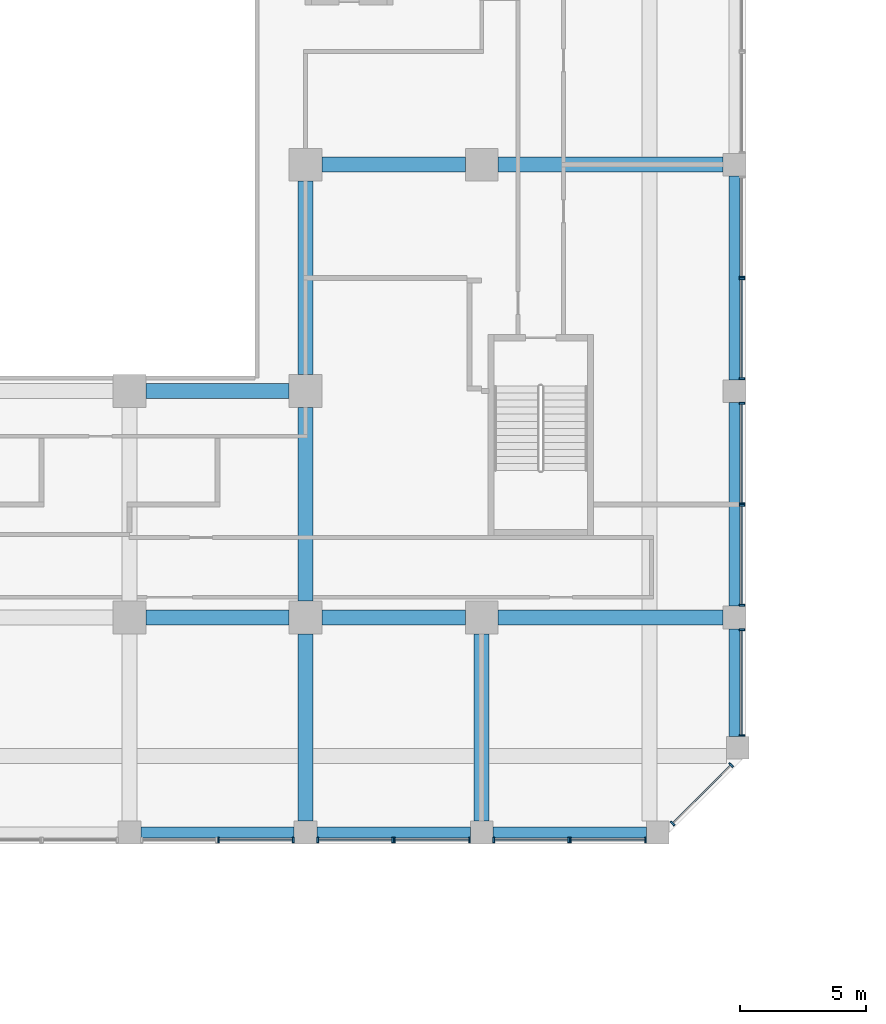
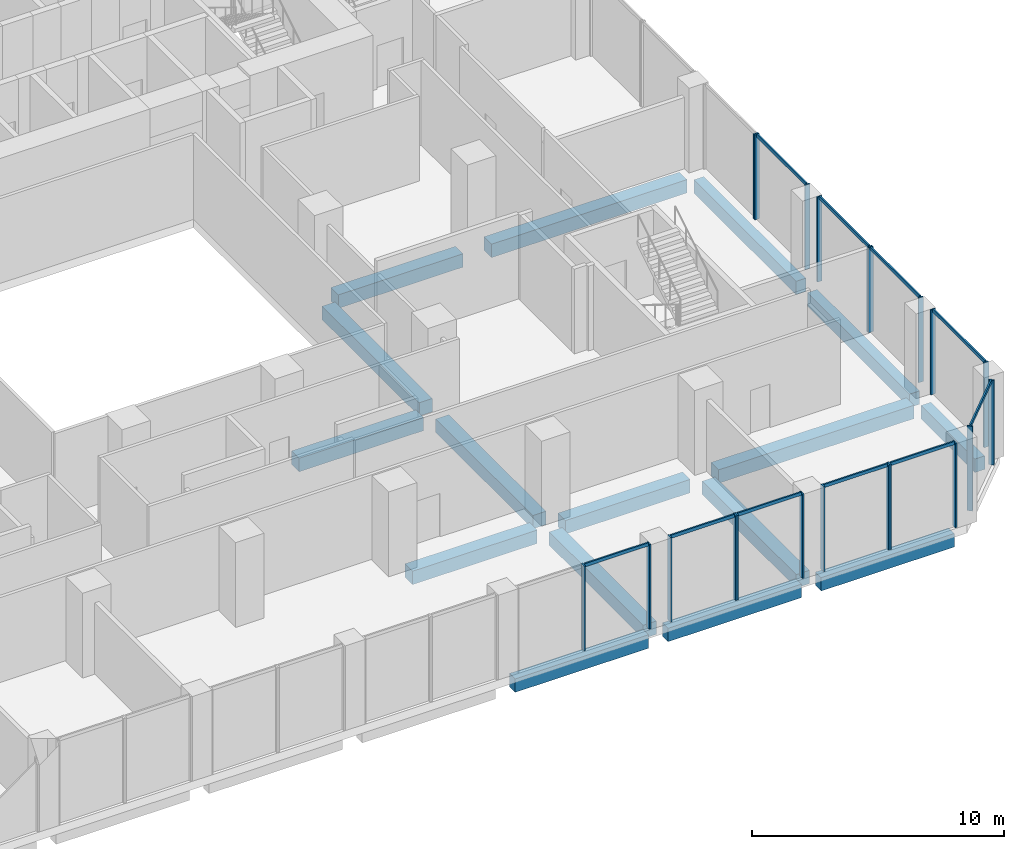
# One storey, part 5 of 36: 31 members, 16 beams, 11 elements without a shape of their own.
"""IFC4 building model written with IfcOpenShell, lengths in metres."""

import ifcopenshell
import ifcopenshell.guid

model = None  # the IFC model being written
_history = None  # IfcOwnerHistory: only IFC2X3 demands one
_inside = {}  # id of a spatial element -> (the spatial element, [elements in it])
_under = {}  # id of a project, library or spatial element -> (it, [spatial elements below it])
_declared = {}  # id of a project -> (the project, [libraries it declares])
_typed = {}  # id of a type object -> (the type object, [elements of that type])
_made_of = {}  # id of a material, layer set ... -> (it, [elements and type objects made of it])


def new_model(schema):
    """Start an empty IFC model of exactly this schema.

    Asked for "IFC4X3", IfcOpenShell would pick the latest addendum, in which some entities
    have other attributes; the version numbers below select the first issue.
    IFC2X3 requires an IfcOwnerHistory on every rooted entity: one is made here for all.
    """
    global model, _history
    if schema == "IFC4X3":
        model = ifcopenshell.file(schema_version=(4, 3, 0, 0))
    else:
        model = ifcopenshell.file(schema=schema)
    _inside.clear()
    _under.clear()
    _declared.clear()
    _typed.clear()
    _made_of.clear()
    _history = None
    if model.schema == "IFC2X3":
        org = make("IfcOrganization", Name="unknown")
        user = make(
            "IfcPersonAndOrganization",
            ThePerson=make("IfcPerson", FamilyName="unknown"),
            TheOrganization=org,
        )
        app = make(
            "IfcApplication",
            ApplicationDeveloper=org,
            Version="unknown",
            ApplicationFullName="unknown",
            ApplicationIdentifier="unknown",
        )
        _history = make(
            "IfcOwnerHistory",
            OwningUser=user,
            OwningApplication=app,
            ChangeAction="ADDED",
            CreationDate=0,
        )
    return model


def make(cls, **values):
    """One entity of the class cls with the attributes given. An attribute that is None is left unset."""
    return model.create_entity(
        cls, **{name: value for name, value in values.items() if value is not None}
    )


def rooted(cls, **values):
    """An entity with a GlobalId (a new one), such as an element, a storey or a relation."""
    return make(cls, GlobalId=ifcopenshell.guid.new(), OwnerHistory=_history, **values)


def si_unit(unit_type, name, prefix=None):
    """IfcSIUnit, for example si_unit("LENGTHUNIT", "METRE", prefix="MILLI")."""
    return make("IfcSIUnit", UnitType=unit_type, Prefix=prefix, Name=name)


def assignment(units):
    """IfcUnitAssignment: the units of a project."""
    return None if units is None else make("IfcUnitAssignment", Units=units)


def point(xyz):
    """IfcCartesianPoint."""
    return None if xyz is None else make("IfcCartesianPoint", Coordinates=xyz)


def direction(xyz):
    """IfcDirection."""
    return None if xyz is None else make("IfcDirection", DirectionRatios=xyz)


def frame(location, z_axis=None, x_axis=None):
    """IfcAxis2Placement3D, a coordinate frame: its origin and axes. An axis left out is left unset."""
    return make(
        "IfcAxis2Placement3D",
        Location=point(location),
        Axis=direction(z_axis),
        RefDirection=direction(x_axis),
    )


def frame_2d(location, x_axis=None):
    """IfcAxis2Placement2D, a coordinate frame in the plane: its origin and x axis."""
    return make(
        "IfcAxis2Placement2D", Location=point(location), RefDirection=direction(x_axis)
    )


def origin():
    """The frame at (0, 0, 0) with its axes left unset."""
    return frame((0.0, 0.0, 0.0))


def origin_2d():
    """The frame at (0, 0) in the plane with its x axis left unset."""
    return frame_2d((0.0, 0.0))


def place(relative_to, where):
    """IfcLocalPlacement: puts the frame where relative to a parent placement (None: the world)."""
    return make(
        "IfcLocalPlacement", PlacementRelTo=relative_to, RelativePlacement=where
    )


def context(
    kind, dimensions, precision=None, world=None, true_north=None, identifier=None
):
    """IfcGeometricRepresentationContext, for example the 3D "Model" context."""
    return make(
        "IfcGeometricRepresentationContext",
        ContextIdentifier=identifier,
        ContextType=kind,
        CoordinateSpaceDimension=dimensions,
        Precision=precision,
        WorldCoordinateSystem=world,
        TrueNorth=true_north,
    )


def subcontext(parent, identifier, kind, view, scale=None):
    """IfcGeometricRepresentationSubContext, for example "Body" below "Model"."""
    return make(
        "IfcGeometricRepresentationSubContext",
        ContextIdentifier=identifier,
        ContextType=kind,
        ParentContext=parent,
        TargetScale=scale,
        TargetView=view,
    )


def project(units=None, contexts=None):
    """IfcProject with its units and contexts."""
    return rooted(
        "IfcProject",
        Name="project",
        RepresentationContexts=contexts,
        UnitsInContext=assignment(units),
    )


def spatial(cls, under=None, at=None, **own):
    """A site, building, storey or space (cls), placed at a placement, below another one or the project."""
    s = rooted(cls, ObjectPlacement=at, **own)
    if under is not None:
        _under.setdefault(under.id(), (under, []))[1].append(s)
    return s


def profile(cls, at=None, kind="AREA", **sizes):
    """A parametric profile (cls). Its sizes go by their IFC names, for example OverallWidth=200.0."""
    return make(cls, ProfileType=kind, Position=at, **sizes)


def rectangle(**sizes):
    """IfcRectangleProfileDef."""
    return profile("IfcRectangleProfileDef", **sizes)


def extrude(swept, where, along, depth):
    """IfcExtrudedAreaSolid: the profile swept, set in the frame where, extruded along a direction by depth."""
    return make(
        "IfcExtrudedAreaSolid",
        SweptArea=swept,
        Position=where,
        ExtrudedDirection=direction(along),
        Depth=depth,
    )


def shape(context_of_items, identifier, shape_type, items):
    """IfcShapeRepresentation: the items that make up one representation, for example the "Body"."""
    return make(
        "IfcShapeRepresentation",
        ContextOfItems=context_of_items,
        RepresentationIdentifier=identifier,
        RepresentationType=shape_type,
        Items=items,
    )


def source(mapping_origin, context_of_items, identifier, shape_type, items):
    """IfcRepresentationMap: a shape defined once, which mapped items show again and again."""
    return make(
        "IfcRepresentationMap",
        MappingOrigin=mapping_origin,
        MappedRepresentation=shape(context_of_items, identifier, shape_type, items),
    )


def transform(
    local_origin,
    x_axis=None,
    y_axis=None,
    z_axis=None,
    scale=None,
    scale2=None,
    scale3=None,
    uniform=True,
):
    """IfcCartesianTransformationOperator3D, or its non-uniform kind. x_axis, y_axis, z_axis: its Axis1, 2, 3."""
    if uniform:
        return make(
            "IfcCartesianTransformationOperator3D",
            Axis1=direction(x_axis),
            Axis2=direction(y_axis),
            LocalOrigin=point(local_origin),
            Scale=scale,
            Axis3=direction(z_axis),
        )
    return make(
        "IfcCartesianTransformationOperator3DnonUniform",
        Axis1=direction(x_axis),
        Axis2=direction(y_axis),
        LocalOrigin=point(local_origin),
        Scale=scale,
        Axis3=direction(z_axis),
        Scale2=scale2,
        Scale3=scale3,
    )


def mapped(mapping_source, mapping_target):
    """IfcMappedItem: shows the shape of a source again, moved by a transform."""
    return make(
        "IfcMappedItem", MappingSource=mapping_source, MappingTarget=mapping_target
    )


def material(Name=None, Category=None):
    """IfcMaterial."""
    return make("IfcMaterial", Name=Name, Category=Category)


def material_profile(
    of_material, cross_section, Name=None, Category=None, Priority=None
):
    """IfcMaterialProfile: a cross section and its material."""
    return make(
        "IfcMaterialProfile",
        Name=Name,
        Material=of_material,
        Profile=cross_section,
        Priority=Priority,
        Category=Category,
    )


def profile_set(profiles, Name=None, composite=None):
    """IfcMaterialProfileSet."""
    return make(
        "IfcMaterialProfileSet",
        Name=Name,
        MaterialProfiles=profiles,
        CompositeProfile=composite,
    )


def made_of(thing, what):
    """Note that an element or type object is made of a material, layer set ...; save() writes the relation."""
    if what is not None:
        _made_of.setdefault(what.id(), (what, []))[1].append(thing)
    return thing


def type_object(cls, material=None, **own):
    """A type object (cls), such as IfcWallType, which elements share."""
    return made_of(rooted(cls, **own), material)


def element(
    cls,
    number,
    at=None,
    inside=None,
    cuts=None,
    type_object=None,
    material=None,
    context=None,
    identifier="Body",
    shape_type=None,
    held_by="IfcProductDefinitionShape",
    body=None,
    shapes=None,
    **own,
):
    """One element of the class cls, such as IfcWall. Its Tag is "e" and its number.

    at: its placement. inside: the storey or other place that contains it. cuts: it is an
    opening in that element (IfcRelVoidsElement). A single representation is given by context,
    identifier, shape_type and body (its items); several are given by shapes. held_by: the class
    of the entity that holds the representations. save() writes the other relations.
    """
    e = rooted(cls, Tag="e%d" % number, ObjectPlacement=at, **own)
    if body is not None:
        shapes = [shape(context, identifier, shape_type, body)]
    if shapes is not None:
        e.Representation = make(held_by, Representations=shapes)
    if inside is not None:
        _inside.setdefault(inside.id(), (inside, []))[1].append(e)
    if cuts is not None:
        rooted(
            "IfcRelVoidsElement", RelatingBuildingElement=cuts, RelatedOpeningElement=e
        )
    if type_object is not None:
        _typed.setdefault(type_object.id(), (type_object, []))[1].append(e)
    return made_of(e, material)


def aggregate(whole, parts):
    """IfcRelAggregates: a whole, such as a stair, and the parts it consists of."""
    return rooted("IfcRelAggregates", RelatingObject=whole, RelatedObjects=parts)


def save(model, path):
    """Write the relations noted so far, then the file.

    IfcRelAggregates (storeys below a building ...), IfcRelContainedInSpatialStructure (elements
    in a storey), IfcRelDefinesByType, IfcRelAssociatesMaterial and IfcRelDeclares: one each for
    every whole, place, type object, material and project.
    """
    for whole, parts in _under.values():
        aggregate(whole, parts)
    for where, things in _inside.values():
        rooted(
            "IfcRelContainedInSpatialStructure",
            RelatedElements=things,
            RelatingStructure=where,
        )
    for kind, things in _typed.values():
        rooted("IfcRelDefinesByType", RelatedObjects=things, RelatingType=kind)
    for what, things in _made_of.values():
        rooted("IfcRelAssociatesMaterial", RelatedObjects=things, RelatingMaterial=what)
    for by, libraries in _declared.values():
        rooted("IfcRelDeclares", RelatingContext=by, RelatedDefinitions=libraries)
    model.write(path)


model = new_model("IFC4")

# Units and contexts
model_context = context("Model", 3, precision=1e-05, world=origin(), true_north=direction((0.0, 1.0)))
body_context = subcontext(model_context, "Body", "Model", "MODEL_VIEW")
ifc_project = project(units=[si_unit("LENGTHUNIT", "METRE"), si_unit("AREAUNIT", "SQUARE_METRE"), si_unit("VOLUMEUNIT", "CUBIC_METRE"), si_unit("PLANEANGLEUNIT", "RADIAN"), si_unit("MASSUNIT", "GRAM", prefix="KILO")], contexts=[model_context])

# Site, building, storey
site_placement = place(None, origin())
site = spatial("IfcSite", under=ifc_project, at=site_placement, CompositionType="ELEMENT")
building_placement = place(site_placement, origin())
building = spatial("IfcBuilding", under=site, at=building_placement, Name="Kilnfold Tower and Market Hall", CompositionType="ELEMENT")
storey_placement = place(building_placement, frame((0.0, 0.0, 18.0)))
storey = spatial("IfcBuildingStorey", under=building, at=storey_placement, Name="L03", CompositionType="ELEMENT", Elevation=18.0)

# Beams
ifc_material_1 = material(Name="Concrete C45", Category="concrete")
ifc_material_profile_1 = material_profile(ifc_material_1, rectangle(XDim=0.449951171875, YDim=0.64990234375, at=origin_2d()), Name="RC 450x650")
ifc_profile_set_1 = profile_set([ifc_material_profile_1], Name="Concrete C45")
beam_type_1 = type_object("IfcBeamType", Name="EDGE BEAM 450X650 C45", PredefinedType="BEAM", material=ifc_profile_set_1)
shared_shape_1 = source(origin(), body_context, "Body", "SweptSolid", [
    extrude(rectangle(XDim=0.449951171875, YDim=0.64990234375, at=origin_2d()), origin(), (0.0, 0.0, 1.0), 6.10009765625),
])
for number, where, z_axis, x_axis, name in (
    (1, (3.949951171875, -27.550048828125, -0.72509765625), (1.0, 0.0, 0.0), (0.0, 1.0, 0.0), "Beam EB650-B1.4"),
    (2, (10.949951171875, -27.550048828125, -0.72509765625), (1.0, 0.0, 0.0), (0.0, 1.0, 0.0), "Beam EB650-B1.5"),
    (3, (17.949951171875, -27.550048828125, -0.72509765625), (1.0, 0.0, 0.0), (0.0, 1.0, 0.0), "Beam EB650-B1.6"),
):
    element("IfcBeam", number, at=place(storey_placement, frame(where, z_axis=z_axis, x_axis=x_axis)), inside=storey, type_object=beam_type_1, Name=name, PredefinedType="BEAM", context=body_context, shape_type="MappedRepresentation", body=[
        mapped(shared_shape_1, transform((0.0, 0.0, 0.0))),
    ])
ifc_material_2 = material(Name="Concrete C45", Category="concrete")
ifc_material_profile_2 = material_profile(ifc_material_2, rectangle(XDim=0.60009765625, YDim=0.64990234375, at=origin_2d()), Name="RC 600x650")
ifc_profile_set_2 = profile_set([ifc_material_profile_2], Name="Concrete C45")
beam_type_2 = type_object("IfcBeamType", Name="BEAM 600X650 C45", PredefinedType="BEAM", material=ifc_profile_set_2)
shared_shape_2 = source(origin(), body_context, "Body", "SweptSolid", [
    extrude(rectangle(XDim=0.60009765625, YDim=0.64990234375, at=origin_2d()), origin(), (0.0, 0.0, 1.0), 8.9501953125),
])
for number, where, z_axis, x_axis, name in (
    (4, (18.14990234375, -19.0, -0.72509765625), (1.0, 0.0, 0.0), (0.0, 1.0, 0.0), "Beam BB650-B1.12"),
    (5, (18.14990234375, -1.0, -0.72509765625), (1.0, 0.0, 0.0), (0.0, 1.0, 0.0), "Beam BB650-B1.20"),
):
    element("IfcBeam", number, at=place(storey_placement, frame(where, z_axis=z_axis, x_axis=x_axis)), inside=storey, type_object=beam_type_2, Name=name, PredefinedType="BEAM", context=body_context, shape_type="MappedRepresentation", body=[
        mapped(shared_shape_2, transform((0.0, 0.0, 0.0))),
    ])
shared_shape_3 = source(origin(), body_context, "Body", "SweptSolid", [
    extrude(rectangle(XDim=0.60009765625, YDim=0.64990234375, at=origin_2d()), origin(), (0.0, 0.0, 1.0), 5.7001953125),
])
for number, where, z_axis, x_axis, name in (
    (6, (4.14990234375, -19.0, -0.72509765625), (1.0, 0.0, 0.0), (0.0, 1.0, 0.0), "Beam BB650-B1.10"),
    (7, (11.14990234375, -19.0, -0.72509765625), (1.0, 0.0, 0.0), (0.0, 1.0, 0.0), "Beam BB650-B1.11"),
    (8, (4.14990234375, -10.0, -0.72509765625), (1.0, 0.0, 0.0), (0.0, 1.0, 0.0), "Beam BB650-B1.15"),
    (9, (11.14990234375, -1.0, -0.72509765625), (1.0, 0.0, 0.0), (0.0, 1.0, 0.0), "Beam BB650-B1.19"),
):
    element("IfcBeam", number, at=place(storey_placement, frame(where, z_axis=z_axis, x_axis=x_axis)), inside=storey, type_object=beam_type_2, Name=name, PredefinedType="BEAM", context=body_context, shape_type="MappedRepresentation", body=[
        mapped(shared_shape_3, transform((0.0, 0.0, 0.0))),
    ])
shared_shape_4 = source(origin(), body_context, "Body", "SweptSolid", [
    extrude(rectangle(XDim=0.449951171875, YDim=0.64990234375, at=origin_2d()), origin(), (0.0, 0.0, 1.0), 8.10009765625),
])
for number, where, z_axis, x_axis, name in (
    (10, (27.550048828125, -18.550048828125, -0.72509765625), (0.0, 1.0, 0.0), (-1.0, 0.0, 0.0), "Beam EB650-B1.52"),
    (11, (27.550048828125, -9.550048828125, -0.72509765625), (0.0, 1.0, 0.0), (-1.0, 0.0, 0.0), "Beam EB650-B1.58"),
):
    element("IfcBeam", number, at=place(storey_placement, frame(where, z_axis=z_axis, x_axis=x_axis)), inside=storey, type_object=beam_type_1, Name=name, PredefinedType="BEAM", context=body_context, shape_type="MappedRepresentation", body=[
        mapped(shared_shape_4, transform((0.0, 0.0, 0.0))),
    ])
shared_shape_5 = source(origin(), body_context, "Body", "SweptSolid", [
    extrude(rectangle(XDim=0.60009765625, YDim=0.64990234375, at=origin_2d()), origin(), (0.0, 0.0, 1.0), 7.4501953125),
])
for number, where, z_axis, x_axis, name in (
    (12, (10.5, -27.10009765625, -0.72509765625), (0.0, 1.0, 0.0), (-1.0, 0.0, 0.0), "Beam BB650-B1.47"),
    (13, (17.5, -27.10009765625, -0.72509765625), (0.0, 1.0, 0.0), (-1.0, 0.0, 0.0), "Beam BB650-B1.50"),
):
    element("IfcBeam", number, at=place(storey_placement, frame(where, z_axis=z_axis, x_axis=x_axis)), inside=storey, type_object=beam_type_2, Name=name, PredefinedType="BEAM", context=body_context, shape_type="MappedRepresentation", body=[
        mapped(shared_shape_5, transform((0.0, 0.0, 0.0))),
    ])
shared_shape_6 = source(origin(), body_context, "Body", "SweptSolid", [
    extrude(rectangle(XDim=0.60009765625, YDim=0.64990234375, at=origin_2d()), origin(), (0.0, 0.0, 1.0), 7.7001953125),
])
for number, where, z_axis, x_axis, name in (
    (14, (10.5, -18.35009765625, -0.72509765625), (0.0, 1.0, 0.0), (-1.0, 0.0, 0.0), "Beam BB650-B1.48"),
    (15, (10.5, -9.35009765625, -0.72509765625), (0.0, 1.0, 0.0), (-1.0, 0.0, 0.0), "Beam BB650-B1.49"),
):
    element("IfcBeam", number, at=place(storey_placement, frame(where, z_axis=z_axis, x_axis=x_axis)), inside=storey, type_object=beam_type_2, Name=name, PredefinedType="BEAM", context=body_context, shape_type="MappedRepresentation", body=[
        mapped(shared_shape_6, transform((0.0, 0.0, 0.0))),
    ])
shared_shape_7 = source(origin(), body_context, "Body", "SweptSolid", [
    extrude(rectangle(XDim=0.449951171875, YDim=0.64990234375, at=origin_2d()), origin(), (0.0, 0.0, 1.0), 4.28173828125),
])
beam_placement = place(storey_placement, frame((27.550048828125, -23.731689453125, -0.72509765625), z_axis=(0.0, 1.0, 0.0), x_axis=(-1.0, 0.0, 0.0)))
element("IfcBeam", 16, at=beam_placement, inside=storey, type_object=beam_type_1, Name="Beam EB650-B1.51", PredefinedType="BEAM", context=body_context, shape_type="MappedRepresentation", body=[
    mapped(shared_shape_7, transform((0.0, 0.0, 0.0))),
])

# Curtain wall, members
ifc_material_3 = material(Name="Aluminium and double glazing", Category="aluminium")
curtain_wall_type = type_object("IfcCurtainWallType", Name="CW BASE PODIUM GLAZING", PredefinedType="NOTDEFINED", material=ifc_material_3)
curtain_wall_1_placement = place(storey_placement, origin())
curtain_wall_1 = element("IfcCurtainWall", 17, at=curtain_wall_1_placement, inside=storey, type_object=curtain_wall_type, Name="Curtain wall CW4 L03 S", PredefinedType="NOTDEFINED")
ifc_material_4 = material(Name="Aluminium", Category="aluminium")
ifc_material_profile_3 = material_profile(ifc_material_4, rectangle(XDim=0.070068359375, YDim=0.219970703125, at=origin_2d()), Name="MULLION 70x220")
ifc_profile_set_3 = profile_set([ifc_material_profile_3], Name="Aluminium")
member_type_1 = type_object("IfcMemberType", Name="MULLION 70X220", PredefinedType="MULLION", material=ifc_profile_set_3)
shared_shape_8 = source(origin(), body_context, "Body", "SweptSolid", [
    extrude(rectangle(XDim=0.070068359375, YDim=0.219970703125, at=origin_2d()), origin(), (0.0, 0.0, 1.0), 4.10009765625),
])
member_1_placement = place(storey_placement, frame((7.034912109375, -27.85009765625, 0.0), z_axis=(0.0, 0.0, 1.0), x_axis=(1.0, 0.0, 0.0)))
member_1 = element("IfcMember", 18, at=member_1_placement, type_object=member_type_1, Name="CW4 mullion 1", PredefinedType="MULLION", context=body_context, shape_type="MappedRepresentation", body=[
    mapped(shared_shape_8, transform((0.0, 0.0, 0.0))),
])
member_2_placement = place(storey_placement, frame((10.014892578125, -27.85009765625, 0.0), z_axis=(0.0, 0.0, 1.0), x_axis=(1.0, 0.0, 0.0)))
member_2 = element("IfcMember", 19, at=member_2_placement, type_object=member_type_1, Name="CW4 mullion 2", PredefinedType="MULLION", context=body_context, shape_type="MappedRepresentation", body=[
    mapped(shared_shape_8, transform((0.0, 0.0, 0.0))),
])

curtain_wall_2_placement = place(storey_placement, origin())
curtain_wall_2 = element("IfcCurtainWall", 20, at=curtain_wall_2_placement, inside=storey, type_object=curtain_wall_type, Name="Curtain wall CW4 L03 S", PredefinedType="NOTDEFINED")
member_3_placement = place(storey_placement, frame((10.985107421875, -27.85009765625, 0.0), z_axis=(0.0, 0.0, 1.0), x_axis=(1.0, 0.0, 0.0)))
member_3 = element("IfcMember", 21, at=member_3_placement, type_object=member_type_1, Name="CW4 mullion 1", PredefinedType="MULLION", context=body_context, shape_type="MappedRepresentation", body=[
    mapped(shared_shape_8, transform((0.0, 0.0, 0.0))),
])
member_4_placement = place(storey_placement, frame((13.965087890625, -27.85009765625, 0.0), z_axis=(0.0, 0.0, 1.0), x_axis=(1.0, 0.0, 0.0)))
member_4 = element("IfcMember", 22, at=member_4_placement, type_object=member_type_1, Name="CW4 mullion 2", PredefinedType="MULLION", context=body_context, shape_type="MappedRepresentation", body=[
    mapped(shared_shape_8, transform((0.0, 0.0, 0.0))),
])

curtain_wall_3_placement = place(storey_placement, origin())
curtain_wall_3 = element("IfcCurtainWall", 23, at=curtain_wall_3_placement, inside=storey, type_object=curtain_wall_type, Name="Curtain wall CW4 L03 S", PredefinedType="NOTDEFINED")
member_5_placement = place(storey_placement, frame((14.034912109375, -27.85009765625, 0.0), z_axis=(0.0, 0.0, 1.0), x_axis=(1.0, 0.0, 0.0)))
member_5 = element("IfcMember", 24, at=member_5_placement, type_object=member_type_1, Name="CW4 mullion 1", PredefinedType="MULLION", context=body_context, shape_type="MappedRepresentation", body=[
    mapped(shared_shape_8, transform((0.0, 0.0, 0.0))),
])
member_6_placement = place(storey_placement, frame((17.014892578125, -27.85009765625, 0.0), z_axis=(0.0, 0.0, 1.0), x_axis=(1.0, 0.0, 0.0)))
member_6 = element("IfcMember", 25, at=member_6_placement, type_object=member_type_1, Name="CW4 mullion 2", PredefinedType="MULLION", context=body_context, shape_type="MappedRepresentation", body=[
    mapped(shared_shape_8, transform((0.0, 0.0, 0.0))),
])

curtain_wall_4_placement = place(storey_placement, origin())
curtain_wall_4 = element("IfcCurtainWall", 26, at=curtain_wall_4_placement, inside=storey, type_object=curtain_wall_type, Name="Curtain wall CW4 L03 S", PredefinedType="NOTDEFINED")
member_7_placement = place(storey_placement, frame((17.985107421875, -27.85009765625, 0.0), z_axis=(0.0, 0.0, 1.0), x_axis=(1.0, 0.0, 0.0)))
member_7 = element("IfcMember", 27, at=member_7_placement, type_object=member_type_1, Name="CW4 mullion 1", PredefinedType="MULLION", context=body_context, shape_type="MappedRepresentation", body=[
    mapped(shared_shape_8, transform((0.0, 0.0, 0.0))),
])
member_8_placement = place(storey_placement, frame((20.965087890625, -27.85009765625, 0.0), z_axis=(0.0, 0.0, 1.0), x_axis=(1.0, 0.0, 0.0)))
member_8 = element("IfcMember", 28, at=member_8_placement, type_object=member_type_1, Name="CW4 mullion 2", PredefinedType="MULLION", context=body_context, shape_type="MappedRepresentation", body=[
    mapped(shared_shape_8, transform((0.0, 0.0, 0.0))),
])

curtain_wall_5_placement = place(storey_placement, origin())
curtain_wall_5 = element("IfcCurtainWall", 29, at=curtain_wall_5_placement, inside=storey, type_object=curtain_wall_type, Name="Curtain wall CW4 L03 S", PredefinedType="NOTDEFINED")
member_9_placement = place(storey_placement, frame((21.034912109375, -27.85009765625, 0.0), z_axis=(0.0, 0.0, 1.0), x_axis=(1.0, 0.0, 0.0)))
member_9 = element("IfcMember", 30, at=member_9_placement, type_object=member_type_1, Name="CW4 mullion 1", PredefinedType="MULLION", context=body_context, shape_type="MappedRepresentation", body=[
    mapped(shared_shape_8, transform((0.0, 0.0, 0.0))),
])
member_10_placement = place(storey_placement, frame((24.014892578125, -27.85009765625, 0.0), z_axis=(0.0, 0.0, 1.0), x_axis=(1.0, 0.0, 0.0)))
member_10 = element("IfcMember", 31, at=member_10_placement, type_object=member_type_1, Name="CW4 mullion 2", PredefinedType="MULLION", context=body_context, shape_type="MappedRepresentation", body=[
    mapped(shared_shape_8, transform((0.0, 0.0, 0.0))),
])

curtain_wall_6_placement = place(storey_placement, origin())
curtain_wall_6 = element("IfcCurtainWall", 32, at=curtain_wall_6_placement, inside=storey, type_object=curtain_wall_type, Name="Curtain wall CW4 L03 SE", PredefinedType="NOTDEFINED")
member_11_placement = place(storey_placement, frame((25.09375, -27.194091796875, 0.0), z_axis=(0.0, 0.0, 1.0), x_axis=(0.707121667181, 0.707091894879, 0.0)))
member_11 = element("IfcMember", 33, at=member_11_placement, type_object=member_type_1, Name="CW4 mullion 1", PredefinedType="MULLION", context=body_context, shape_type="MappedRepresentation", body=[
    mapped(shared_shape_8, transform((0.0, 0.0, 0.0))),
])
member_12_placement = place(storey_placement, frame((27.419189453125, -24.86865234375, 0.0), z_axis=(0.0, 0.0, 1.0), x_axis=(0.707121667181, 0.707091894879, 0.0)))
member_12 = element("IfcMember", 34, at=member_12_placement, type_object=member_type_1, Name="CW4 mullion 2", PredefinedType="MULLION", context=body_context, shape_type="MappedRepresentation", body=[
    mapped(shared_shape_8, transform((0.0, 0.0, 0.0))),
])

curtain_wall_7_placement = place(storey_placement, origin())
curtain_wall_7 = element("IfcCurtainWall", 35, at=curtain_wall_7_placement, inside=storey, type_object=curtain_wall_type, Name="Curtain wall CW4 L03 E", PredefinedType="NOTDEFINED")
member_13_placement = place(storey_placement, frame((27.85009765625, -23.69677734375, 0.0), z_axis=(0.0, 0.0, 1.0), x_axis=(0.0, 1.0, 0.0)))
member_13 = element("IfcMember", 36, at=member_13_placement, type_object=member_type_1, Name="CW4 mullion 1", PredefinedType="MULLION", context=body_context, shape_type="MappedRepresentation", body=[
    mapped(shared_shape_8, transform((0.0, 0.0, 0.0))),
])
member_14_placement = place(storey_placement, frame((27.85009765625, -19.485107421875, 0.0), z_axis=(0.0, 0.0, 1.0), x_axis=(0.0, 1.0, 0.0)))
member_14 = element("IfcMember", 37, at=member_14_placement, type_object=member_type_1, Name="CW4 mullion 2", PredefinedType="MULLION", context=body_context, shape_type="MappedRepresentation", body=[
    mapped(shared_shape_8, transform((0.0, 0.0, 0.0))),
])

curtain_wall_8_placement = place(storey_placement, origin())
curtain_wall_8 = element("IfcCurtainWall", 38, at=curtain_wall_8_placement, inside=storey, type_object=curtain_wall_type, Name="Curtain wall CW4 L03 E", PredefinedType="NOTDEFINED")
member_15_placement = place(storey_placement, frame((27.85009765625, -18.514892578125, 0.0), z_axis=(0.0, 0.0, 1.0), x_axis=(0.0, 1.0, 0.0)))
member_15 = element("IfcMember", 39, at=member_15_placement, type_object=member_type_1, Name="CW4 mullion 1", PredefinedType="MULLION", context=body_context, shape_type="MappedRepresentation", body=[
    mapped(shared_shape_8, transform((0.0, 0.0, 0.0))),
])
member_16_placement = place(storey_placement, frame((27.85009765625, -14.534912109375, 0.0), z_axis=(0.0, 0.0, 1.0), x_axis=(0.0, 1.0, 0.0)))
member_16 = element("IfcMember", 40, at=member_16_placement, type_object=member_type_1, Name="CW4 mullion 2", PredefinedType="MULLION", context=body_context, shape_type="MappedRepresentation", body=[
    mapped(shared_shape_8, transform((0.0, 0.0, 0.0))),
])

curtain_wall_9_placement = place(storey_placement, origin())
curtain_wall_9 = element("IfcCurtainWall", 41, at=curtain_wall_9_placement, inside=storey, type_object=curtain_wall_type, Name="Curtain wall CW4 L03 E", PredefinedType="NOTDEFINED")
member_17_placement = place(storey_placement, frame((27.85009765625, -14.465087890625, 0.0), z_axis=(0.0, 0.0, 1.0), x_axis=(0.0, 1.0, 0.0)))
member_17 = element("IfcMember", 42, at=member_17_placement, type_object=member_type_1, Name="CW4 mullion 1", PredefinedType="MULLION", context=body_context, shape_type="MappedRepresentation", body=[
    mapped(shared_shape_8, transform((0.0, 0.0, 0.0))),
])
member_18_placement = place(storey_placement, frame((27.85009765625, -10.485107421875, 0.0), z_axis=(0.0, 0.0, 1.0), x_axis=(0.0, 1.0, 0.0)))
member_18 = element("IfcMember", 43, at=member_18_placement, type_object=member_type_1, Name="CW4 mullion 2", PredefinedType="MULLION", context=body_context, shape_type="MappedRepresentation", body=[
    mapped(shared_shape_8, transform((0.0, 0.0, 0.0))),
])

curtain_wall_10_placement = place(storey_placement, origin())
curtain_wall_10 = element("IfcCurtainWall", 44, at=curtain_wall_10_placement, inside=storey, type_object=curtain_wall_type, Name="Curtain wall CW4 L03 E", PredefinedType="NOTDEFINED")
member_19_placement = place(storey_placement, frame((27.85009765625, -9.514892578125, 0.0), z_axis=(0.0, 0.0, 1.0), x_axis=(0.0, 1.0, 0.0)))
member_19 = element("IfcMember", 45, at=member_19_placement, type_object=member_type_1, Name="CW4 mullion 1", PredefinedType="MULLION", context=body_context, shape_type="MappedRepresentation", body=[
    mapped(shared_shape_8, transform((0.0, 0.0, 0.0))),
])
member_20_placement = place(storey_placement, frame((27.85009765625, -5.534912109375, 0.0), z_axis=(0.0, 0.0, 1.0), x_axis=(0.0, 1.0, 0.0)))
member_20 = element("IfcMember", 46, at=member_20_placement, type_object=member_type_1, Name="CW4 mullion 2", PredefinedType="MULLION", context=body_context, shape_type="MappedRepresentation", body=[
    mapped(shared_shape_8, transform((0.0, 0.0, 0.0))),
])

# Curtain wall, member
curtain_wall_11_placement = place(storey_placement, origin())
curtain_wall_11 = element("IfcCurtainWall", 47, at=curtain_wall_11_placement, inside=storey, type_object=curtain_wall_type, Name="Curtain wall CW4 L03 E", PredefinedType="NOTDEFINED")
member_21_placement = place(storey_placement, frame((27.85009765625, -5.465087890625, 0.0), z_axis=(0.0, 0.0, 1.0), x_axis=(0.0, 1.0, 0.0)))
member_21 = element("IfcMember", 48, at=member_21_placement, type_object=member_type_1, Name="CW4 mullion 1", PredefinedType="MULLION", context=body_context, shape_type="MappedRepresentation", body=[
    mapped(shared_shape_8, transform((0.0, 0.0, 0.0))),
])
aggregate(curtain_wall_11, [member_21])

# Member
ifc_material_5 = material(Name="Aluminium", Category="aluminium")
ifc_material_profile_4 = material_profile(ifc_material_5, rectangle(XDim=0.070068359375, YDim=0.159912109375, at=origin_2d()), Name="TRANSOM 70x160")
ifc_profile_set_4 = profile_set([ifc_material_profile_4], Name="Aluminium")
member_type_2 = type_object("IfcMemberType", Name="TRANSOM 70X160", PredefinedType="USERDEFINED", material=ifc_profile_set_4)
shared_shape_9 = source(origin(), body_context, "Body", "SweptSolid", [
    extrude(rectangle(XDim=0.070068359375, YDim=0.159912109375, at=origin_2d()), origin(), (0.0, 0.0, 1.0), 2.909912109375),
])
member_22_placement = place(storey_placement, frame((7.070068359375, -27.85009765625, 4.06494140625), z_axis=(1.0, 0.0, 0.0), x_axis=(0.0, 1.0, 0.0)))
member_22 = element("IfcMember", 49, at=member_22_placement, type_object=member_type_2, Name="CW4 transom 1.2", ObjectType="TRANSOM", PredefinedType="USERDEFINED", context=body_context, shape_type="MappedRepresentation", body=[
    mapped(shared_shape_9, transform((0.0, 0.0, 0.0))),
])

aggregate(curtain_wall_1, [member_1, member_2, member_22])

member_23_placement = place(storey_placement, frame((11.02001953125, -27.85009765625, 4.06494140625), z_axis=(1.0, 0.0, 0.0), x_axis=(0.0, 1.0, 0.0)))
member_23 = element("IfcMember", 50, at=member_23_placement, type_object=member_type_2, Name="CW4 transom 1.2", ObjectType="TRANSOM", PredefinedType="USERDEFINED", context=body_context, shape_type="MappedRepresentation", body=[
    mapped(shared_shape_9, transform((0.0, 0.0, 0.0))),
])

aggregate(curtain_wall_2, [member_3, member_4, member_23])

member_24_placement = place(storey_placement, frame((14.070068359375, -27.85009765625, 4.06494140625), z_axis=(1.0, 0.0, 0.0), x_axis=(0.0, 1.0, 0.0)))
member_24 = element("IfcMember", 51, at=member_24_placement, type_object=member_type_2, Name="CW4 transom 1.2", ObjectType="TRANSOM", PredefinedType="USERDEFINED", context=body_context, shape_type="MappedRepresentation", body=[
    mapped(shared_shape_9, transform((0.0, 0.0, 0.0))),
])

aggregate(curtain_wall_3, [member_5, member_6, member_24])

member_25_placement = place(storey_placement, frame((18.02001953125, -27.85009765625, 4.06494140625), z_axis=(1.0, 0.0, 0.0), x_axis=(0.0, 1.0, 0.0)))
member_25 = element("IfcMember", 52, at=member_25_placement, type_object=member_type_2, Name="CW4 transom 1.2", ObjectType="TRANSOM", PredefinedType="USERDEFINED", context=body_context, shape_type="MappedRepresentation", body=[
    mapped(shared_shape_9, transform((0.0, 0.0, 0.0))),
])

aggregate(curtain_wall_4, [member_7, member_8, member_25])

member_26_placement = place(storey_placement, frame((21.070068359375, -27.85009765625, 4.06494140625), z_axis=(1.0, 0.0, 0.0), x_axis=(0.0, 1.0, 0.0)))
member_26 = element("IfcMember", 53, at=member_26_placement, type_object=member_type_2, Name="CW4 transom 1.2", ObjectType="TRANSOM", PredefinedType="USERDEFINED", context=body_context, shape_type="MappedRepresentation", body=[
    mapped(shared_shape_9, transform((0.0, 0.0, 0.0))),
])

aggregate(curtain_wall_5, [member_9, member_10, member_26])

shared_shape_10 = source(origin(), body_context, "Body", "SweptSolid", [
    extrude(rectangle(XDim=0.070068359375, YDim=0.159912109375, at=origin_2d()), origin(), (0.0, 0.0, 1.0), 3.909912109375),
])
member_27_placement = place(storey_placement, frame((27.85009765625, -18.47998046875, 4.06494140625), z_axis=(0.0, 1.0, 0.0), x_axis=(-1.0, 0.0, 0.0)))
member_27 = element("IfcMember", 54, at=member_27_placement, type_object=member_type_2, Name="CW4 transom 1.2", ObjectType="TRANSOM", PredefinedType="USERDEFINED", context=body_context, shape_type="MappedRepresentation", body=[
    mapped(shared_shape_10, transform((0.0, 0.0, 0.0))),
])

aggregate(curtain_wall_8, [member_15, member_16, member_27])

member_28_placement = place(storey_placement, frame((27.85009765625, -14.429931640625, 4.06494140625), z_axis=(0.0, 1.0, 0.0), x_axis=(-1.0, 0.0, 0.0)))
member_28 = element("IfcMember", 55, at=member_28_placement, type_object=member_type_2, Name="CW4 transom 1.2", ObjectType="TRANSOM", PredefinedType="USERDEFINED", context=body_context, shape_type="MappedRepresentation", body=[
    mapped(shared_shape_10, transform((0.0, 0.0, 0.0))),
])

aggregate(curtain_wall_9, [member_17, member_18, member_28])

member_29_placement = place(storey_placement, frame((27.85009765625, -9.47998046875, 4.06494140625), z_axis=(0.0, 1.0, 0.0), x_axis=(-1.0, 0.0, 0.0)))
member_29 = element("IfcMember", 56, at=member_29_placement, type_object=member_type_2, Name="CW4 transom 1.2", ObjectType="TRANSOM", PredefinedType="USERDEFINED", context=body_context, shape_type="MappedRepresentation", body=[
    mapped(shared_shape_10, transform((0.0, 0.0, 0.0))),
])

aggregate(curtain_wall_10, [member_19, member_20, member_29])

shared_shape_11 = source(origin(), body_context, "Body", "SweptSolid", [
    extrude(rectangle(XDim=0.070068359375, YDim=0.159912109375, at=origin_2d()), origin(), (0.0, 0.0, 1.0), 3.218994140625),
])
member_30_placement = place(storey_placement, frame((25.118408203125, -27.16943359375, 4.06494140625), z_axis=(0.707106781187, 0.707106781187, 0.0), x_axis=(-0.707106781187, 0.707106781187, 0.0)))
member_30 = element("IfcMember", 57, at=member_30_placement, type_object=member_type_2, Name="CW4 transom 1.2", ObjectType="TRANSOM", PredefinedType="USERDEFINED", context=body_context, shape_type="MappedRepresentation", body=[
    mapped(shared_shape_11, transform((0.0, 0.0, 0.0))),
])

aggregate(curtain_wall_6, [member_11, member_12, member_30])

shared_shape_12 = source(origin(), body_context, "Body", "SweptSolid", [
    extrude(rectangle(XDim=0.070068359375, YDim=0.159912109375, at=origin_2d()), origin(), (0.0, 0.0, 1.0), 4.141845703125),
])
member_31_placement = place(storey_placement, frame((27.85009765625, -23.661865234375, 4.06494140625), z_axis=(0.0, 1.0, 0.0), x_axis=(-1.0, 0.0, 0.0)))
member_31 = element("IfcMember", 58, at=member_31_placement, type_object=member_type_2, Name="CW4 transom 1.2", ObjectType="TRANSOM", PredefinedType="USERDEFINED", context=body_context, shape_type="MappedRepresentation", body=[
    mapped(shared_shape_12, transform((0.0, 0.0, 0.0))),
])

aggregate(curtain_wall_7, [member_13, member_14, member_31])

save(model, "model.ifc")
